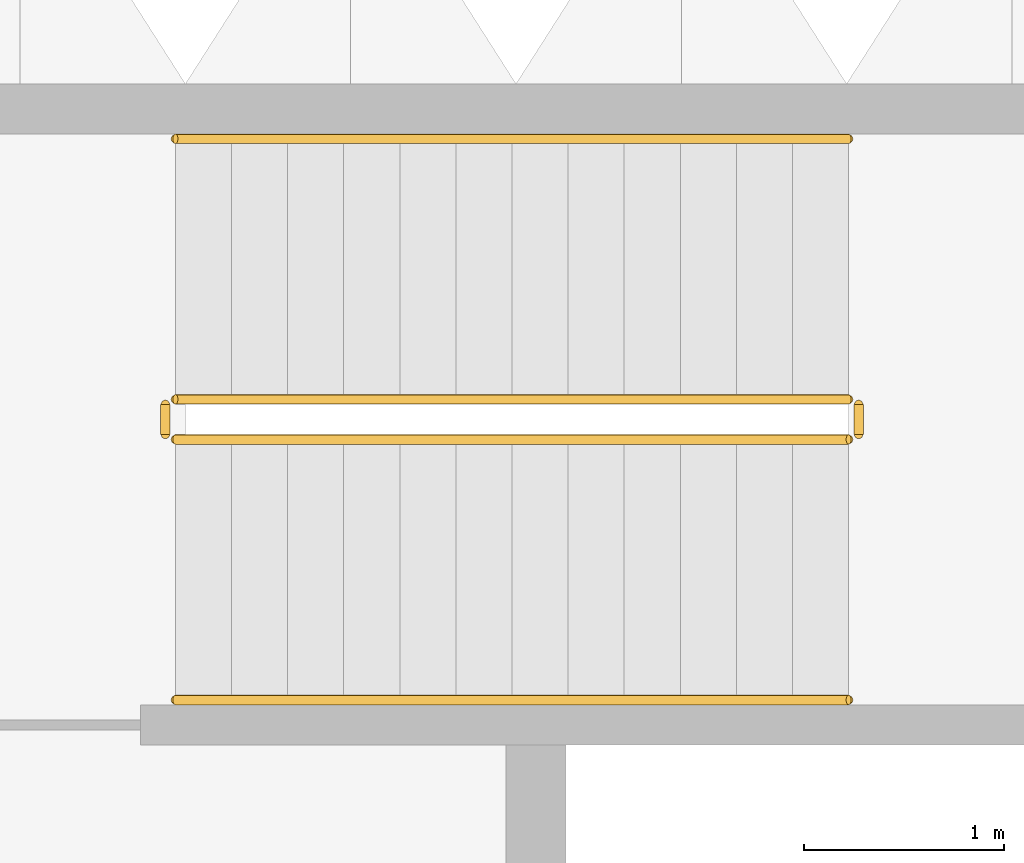
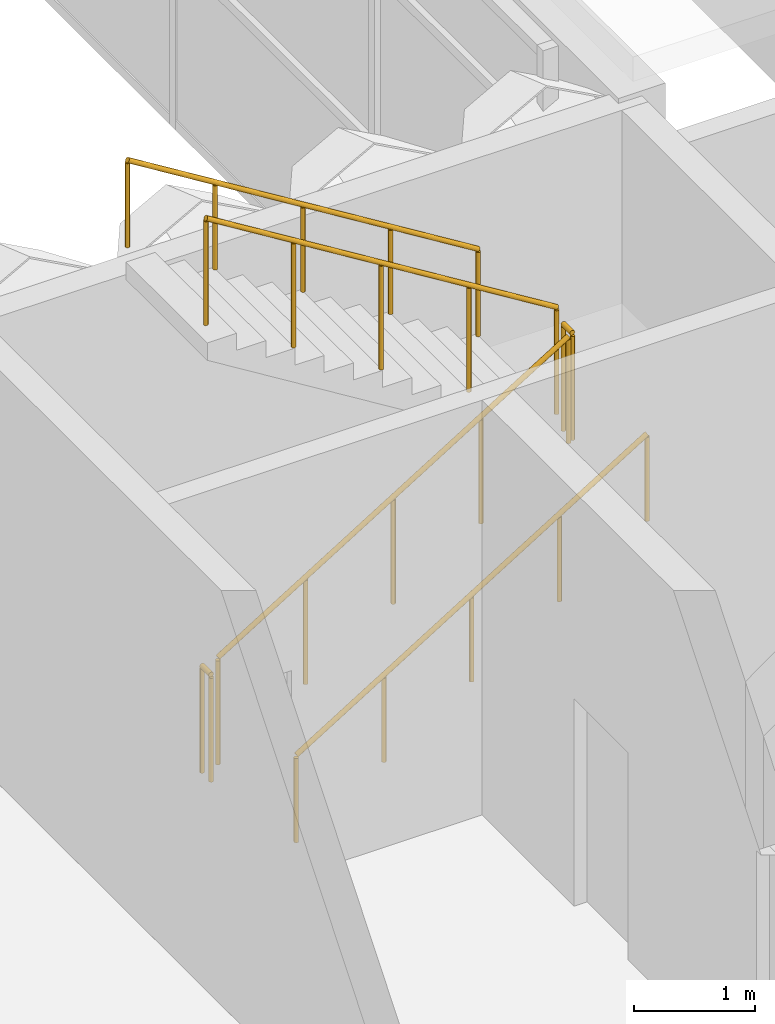
# One storey, part 47 of 87: 6 railings.
"""IFC4 building model written with IfcOpenShell, lengths in metres."""

import ifcopenshell
import ifcopenshell.guid

model = None  # the IFC model being written
_history = None  # IfcOwnerHistory: only IFC2X3 demands one
_inside = {}  # id of a spatial element -> (the spatial element, [elements in it])
_under = {}  # id of a project, library or spatial element -> (it, [spatial elements below it])
_declared = {}  # id of a project -> (the project, [libraries it declares])
_typed = {}  # id of a type object -> (the type object, [elements of that type])
_made_of = {}  # id of a material, layer set ... -> (it, [elements and type objects made of it])


def new_model(schema):
    """Start an empty IFC model of exactly this schema.

    Asked for "IFC4X3", IfcOpenShell would pick the latest addendum, in which some entities
    have other attributes; the version numbers below select the first issue.
    IFC2X3 requires an IfcOwnerHistory on every rooted entity: one is made here for all.
    """
    global model, _history
    if schema == "IFC4X3":
        model = ifcopenshell.file(schema_version=(4, 3, 0, 0))
    else:
        model = ifcopenshell.file(schema=schema)
    _inside.clear()
    _under.clear()
    _declared.clear()
    _typed.clear()
    _made_of.clear()
    _history = None
    if model.schema == "IFC2X3":
        org = make("IfcOrganization", Name="unknown")
        user = make(
            "IfcPersonAndOrganization",
            ThePerson=make("IfcPerson", FamilyName="unknown"),
            TheOrganization=org,
        )
        app = make(
            "IfcApplication",
            ApplicationDeveloper=org,
            Version="unknown",
            ApplicationFullName="unknown",
            ApplicationIdentifier="unknown",
        )
        _history = make(
            "IfcOwnerHistory",
            OwningUser=user,
            OwningApplication=app,
            ChangeAction="ADDED",
            CreationDate=0,
        )
    return model


def make(cls, **values):
    """One entity of the class cls with the attributes given. An attribute that is None is left unset."""
    return model.create_entity(
        cls, **{name: value for name, value in values.items() if value is not None}
    )


def rooted(cls, **values):
    """An entity with a GlobalId (a new one), such as an element, a storey or a relation."""
    return make(cls, GlobalId=ifcopenshell.guid.new(), OwnerHistory=_history, **values)


def si_unit(unit_type, name, prefix=None):
    """IfcSIUnit, for example si_unit("LENGTHUNIT", "METRE", prefix="MILLI")."""
    return make("IfcSIUnit", UnitType=unit_type, Prefix=prefix, Name=name)


def assignment(units):
    """IfcUnitAssignment: the units of a project."""
    return None if units is None else make("IfcUnitAssignment", Units=units)


def point(xyz):
    """IfcCartesianPoint."""
    return None if xyz is None else make("IfcCartesianPoint", Coordinates=xyz)


def direction(xyz):
    """IfcDirection."""
    return None if xyz is None else make("IfcDirection", DirectionRatios=xyz)


def frame(location, z_axis=None, x_axis=None):
    """IfcAxis2Placement3D, a coordinate frame: its origin and axes. An axis left out is left unset."""
    return make(
        "IfcAxis2Placement3D",
        Location=point(location),
        Axis=direction(z_axis),
        RefDirection=direction(x_axis),
    )


def frame_2d(location, x_axis=None):
    """IfcAxis2Placement2D, a coordinate frame in the plane: its origin and x axis."""
    return make(
        "IfcAxis2Placement2D", Location=point(location), RefDirection=direction(x_axis)
    )


def origin():
    """The frame at (0, 0, 0) with its axes left unset."""
    return frame((0.0, 0.0, 0.0))


def origin_2d():
    """The frame at (0, 0) in the plane with its x axis left unset."""
    return frame_2d((0.0, 0.0))


def place(relative_to, where):
    """IfcLocalPlacement: puts the frame where relative to a parent placement (None: the world)."""
    return make(
        "IfcLocalPlacement", PlacementRelTo=relative_to, RelativePlacement=where
    )


def context(
    kind, dimensions, precision=None, world=None, true_north=None, identifier=None
):
    """IfcGeometricRepresentationContext, for example the 3D "Model" context."""
    return make(
        "IfcGeometricRepresentationContext",
        ContextIdentifier=identifier,
        ContextType=kind,
        CoordinateSpaceDimension=dimensions,
        Precision=precision,
        WorldCoordinateSystem=world,
        TrueNorth=true_north,
    )


def subcontext(parent, identifier, kind, view, scale=None):
    """IfcGeometricRepresentationSubContext, for example "Body" below "Model"."""
    return make(
        "IfcGeometricRepresentationSubContext",
        ContextIdentifier=identifier,
        ContextType=kind,
        ParentContext=parent,
        TargetScale=scale,
        TargetView=view,
    )


def project(units=None, contexts=None):
    """IfcProject with its units and contexts."""
    return rooted(
        "IfcProject",
        Name="project",
        RepresentationContexts=contexts,
        UnitsInContext=assignment(units),
    )


def spatial(cls, under=None, at=None, **own):
    """A site, building, storey or space (cls), placed at a placement, below another one or the project."""
    s = rooted(cls, ObjectPlacement=at, **own)
    if under is not None:
        _under.setdefault(under.id(), (under, []))[1].append(s)
    return s


def profile(cls, at=None, kind="AREA", **sizes):
    """A parametric profile (cls). Its sizes go by their IFC names, for example OverallWidth=200.0."""
    return make(cls, ProfileType=kind, Position=at, **sizes)


def circle(**sizes):
    """IfcCircleProfileDef."""
    return profile("IfcCircleProfileDef", **sizes)


def extrude(swept, where, along, depth):
    """IfcExtrudedAreaSolid: the profile swept, set in the frame where, extruded along a direction by depth."""
    return make(
        "IfcExtrudedAreaSolid",
        SweptArea=swept,
        Position=where,
        ExtrudedDirection=direction(along),
        Depth=depth,
    )


def shape(context_of_items, identifier, shape_type, items):
    """IfcShapeRepresentation: the items that make up one representation, for example the "Body"."""
    return make(
        "IfcShapeRepresentation",
        ContextOfItems=context_of_items,
        RepresentationIdentifier=identifier,
        RepresentationType=shape_type,
        Items=items,
    )


def material(Name=None, Category=None):
    """IfcMaterial."""
    return make("IfcMaterial", Name=Name, Category=Category)


def made_of(thing, what):
    """Note that an element or type object is made of a material, layer set ...; save() writes the relation."""
    if what is not None:
        _made_of.setdefault(what.id(), (what, []))[1].append(thing)
    return thing


def type_object(cls, material=None, **own):
    """A type object (cls), such as IfcWallType, which elements share."""
    return made_of(rooted(cls, **own), material)


def element(
    cls,
    number,
    at=None,
    inside=None,
    cuts=None,
    type_object=None,
    material=None,
    context=None,
    identifier="Body",
    shape_type=None,
    held_by="IfcProductDefinitionShape",
    body=None,
    shapes=None,
    **own,
):
    """One element of the class cls, such as IfcWall. Its Tag is "e" and its number.

    at: its placement. inside: the storey or other place that contains it. cuts: it is an
    opening in that element (IfcRelVoidsElement). A single representation is given by context,
    identifier, shape_type and body (its items); several are given by shapes. held_by: the class
    of the entity that holds the representations. save() writes the other relations.
    """
    e = rooted(cls, Tag="e%d" % number, ObjectPlacement=at, **own)
    if body is not None:
        shapes = [shape(context, identifier, shape_type, body)]
    if shapes is not None:
        e.Representation = make(held_by, Representations=shapes)
    if inside is not None:
        _inside.setdefault(inside.id(), (inside, []))[1].append(e)
    if cuts is not None:
        rooted(
            "IfcRelVoidsElement", RelatingBuildingElement=cuts, RelatedOpeningElement=e
        )
    if type_object is not None:
        _typed.setdefault(type_object.id(), (type_object, []))[1].append(e)
    return made_of(e, material)


def aggregate(whole, parts):
    """IfcRelAggregates: a whole, such as a stair, and the parts it consists of."""
    return rooted("IfcRelAggregates", RelatingObject=whole, RelatedObjects=parts)


def save(model, path):
    """Write the relations noted so far, then the file.

    IfcRelAggregates (storeys below a building ...), IfcRelContainedInSpatialStructure (elements
    in a storey), IfcRelDefinesByType, IfcRelAssociatesMaterial and IfcRelDeclares: one each for
    every whole, place, type object, material and project.
    """
    for whole, parts in _under.values():
        aggregate(whole, parts)
    for where, things in _inside.values():
        rooted(
            "IfcRelContainedInSpatialStructure",
            RelatedElements=things,
            RelatingStructure=where,
        )
    for kind, things in _typed.values():
        rooted("IfcRelDefinesByType", RelatedObjects=things, RelatingType=kind)
    for what, things in _made_of.values():
        rooted("IfcRelAssociatesMaterial", RelatedObjects=things, RelatingMaterial=what)
    for by, libraries in _declared.values():
        rooted("IfcRelDeclares", RelatingContext=by, RelatedDefinitions=libraries)
    model.write(path)


model = new_model("IFC4")

# Units and contexts
model_context = context("Model", 3, precision=1e-05, world=origin(), true_north=direction((0.0, 1.0)))
body_context = subcontext(model_context, "Body", "Model", "MODEL_VIEW")
ifc_project = project(units=[si_unit("LENGTHUNIT", "METRE"), si_unit("AREAUNIT", "SQUARE_METRE"), si_unit("VOLUMEUNIT", "CUBIC_METRE"), si_unit("PLANEANGLEUNIT", "RADIAN"), si_unit("MASSUNIT", "GRAM", prefix="KILO")], contexts=[model_context])

# Site, building, storey
site_placement = place(None, origin())
site = spatial("IfcSite", under=ifc_project, at=site_placement, CompositionType="ELEMENT")
building_placement = place(site_placement, origin())
building = spatial("IfcBuilding", under=site, at=building_placement, Name="Lantern Court Research Institute", CompositionType="ELEMENT")
storey_placement = place(building_placement, frame((0.0, 0.0, 5.39990234375)))
storey = spatial("IfcBuildingStorey", under=building, at=storey_placement, Name="L01", CompositionType="ELEMENT", Elevation=5.39990234375)

# Railings
ifc_material_1 = material(Name="Structural steel S355", Category="steel")
railing_type_1 = type_object("IfcRailingType", Name="Stair guard 1100 steel", PredefinedType="GUARDRAIL", material=ifc_material_1)
railing_1_placement = place(storey_placement, frame((34.60009765625, 21.324951171875, 0.173095703125)))
element("IfcRailing", 1, at=railing_1_placement, inside=storey, type_object=railing_type_1, Name="L01 ST-B3 stair guard 1", PredefinedType="GUARDRAIL", context=body_context, shape_type="SweptSolid", body=[
    extrude(circle(Radius=0.02392578125, at=origin_2d()), frame((0.0, 0.0, 1.076171875), z_axis=(0.850606129759, 0.0, 0.525803396734), x_axis=(0.0, 1.0, 0.0)), (0.0, 0.0, 1.0), 3.949951171875),
    extrude(circle(Radius=0.02099609375, at=origin_2d()), origin(), (0.0, 0.0, 1.0), 1.052001953125),
    extrude(circle(Radius=0.02099609375, at=origin_2d()), frame((0.83984375, 0.0, 0.519287109375)), (0.0, 0.0, 1.0), 1.052001953125),
    extrude(circle(Radius=0.02099609375, at=origin_2d()), frame((1.679931640625, 0.0, 1.03857421875)), (0.0, 0.0, 1.0), 1.052001953125),
    extrude(circle(Radius=0.02099609375, at=origin_2d()), frame((2.52001953125, 0.0, 1.5576171875)), (0.0, 0.0, 1.0), 1.052001953125),
    extrude(circle(Radius=0.02099609375, at=origin_2d()), frame((3.35986328125, 0.0, 2.076904296875)), (0.0, 0.0, 1.0), 1.052001953125),
])
railing_2_placement = place(storey_placement, frame((38.010009765625, 21.35009765625, 2.25)))
element("IfcRailing", 2, at=railing_2_placement, inside=storey, type_object=railing_type_1, Name="L01 ST-B3 stair guard 2", PredefinedType="GUARDRAIL", context=body_context, shape_type="SweptSolid", body=[
    extrude(circle(Radius=0.02392578125, at=origin_2d()), frame((0.0, 0.0, 1.076171875), z_axis=(0.0, 1.0, 0.0), x_axis=(-1.0, 0.0, 0.0)), (0.0, 0.0, 1.0), 0.14990234375),
    extrude(circle(Radius=0.02099609375, at=origin_2d()), origin(), (0.0, 0.0, 1.0), 1.052001953125),
    extrude(circle(Radius=0.02099609375, at=origin_2d()), frame((0.0, 0.14990234375, 0.0)), (0.0, 0.0, 1.0), 1.052001953125),
])
railing_3_placement = place(storey_placement, frame((37.9599609375, 21.52490234375, 2.423095703125)))
element("IfcRailing", 3, at=railing_3_placement, inside=storey, type_object=railing_type_1, Name="L01 ST-B3 stair guard 3", PredefinedType="GUARDRAIL", context=body_context, shape_type="SweptSolid", body=[
    extrude(circle(Radius=0.02392578125, at=origin_2d()), frame((0.0, 0.0, 1.076171875), z_axis=(-0.850606129759, 0.0, 0.525803396734), x_axis=(0.0, -1.0, 0.0)), (0.0, 0.0, 1.0), 3.949951171875),
    extrude(circle(Radius=0.02099609375, at=origin_2d()), origin(), (0.0, 0.0, 1.0), 1.052001953125),
    extrude(circle(Radius=0.02099609375, at=origin_2d()), frame((-0.83984375, 0.0, 0.519287109375)), (0.0, 0.0, 1.0), 1.052001953125),
    extrude(circle(Radius=0.02099609375, at=origin_2d()), frame((-1.679931640625, 0.0, 1.03857421875)), (0.0, 0.0, 1.0), 1.052001953125),
    extrude(circle(Radius=0.02099609375, at=origin_2d()), frame((-2.52001953125, 0.0, 1.5576171875)), (0.0, 0.0, 1.0), 1.052001953125),
    extrude(circle(Radius=0.02099609375, at=origin_2d()), frame((-3.35986328125, 0.0, 2.076904296875)), (0.0, 0.0, 1.0), 1.052001953125),
])
railing_4_placement = place(storey_placement, frame((34.550048828125, 21.35009765625, 0.0)))
element("IfcRailing", 4, at=railing_4_placement, inside=storey, type_object=railing_type_1, Name="L01 ST-B3 stair guard 4", PredefinedType="GUARDRAIL", context=body_context, shape_type="SweptSolid", body=[
    extrude(circle(Radius=0.02392578125, at=origin_2d()), frame((0.0, 0.0, 1.076171875), z_axis=(0.0, 1.0, 0.0), x_axis=(-1.0, 0.0, 0.0)), (0.0, 0.0, 1.0), 0.14990234375),
    extrude(circle(Radius=0.02099609375, at=origin_2d()), origin(), (0.0, 0.0, 1.0), 1.052001953125),
    extrude(circle(Radius=0.02099609375, at=origin_2d()), frame((0.0, 0.14990234375, 0.0)), (0.0, 0.0, 1.0), 1.052001953125),
])
ifc_material_2 = material(Name="Stainless steel 316", Category="steel")
railing_type_2 = type_object("IfcRailingType", Name="Stair handrail 900 steel", PredefinedType="HANDRAIL", material=ifc_material_2)
railing_5_placement = place(storey_placement, frame((34.60009765625, 20.02490234375, 0.173095703125)))
element("IfcRailing", 5, at=railing_5_placement, inside=storey, type_object=railing_type_2, Name="L01 ST-B3 stair handrail 1", PredefinedType="HANDRAIL", context=body_context, shape_type="SweptSolid", body=[
    extrude(circle(Radius=0.02392578125, at=origin_2d()), frame((0.0, 0.0, 0.8759765625), z_axis=(0.850606129759, 0.0, 0.525803396734), x_axis=(0.0, 1.0, 0.0)), (0.0, 0.0, 1.0), 3.949951171875),
    extrude(circle(Radius=0.02099609375, at=origin_2d()), origin(), (0.0, 0.0, 1.0), 0.851806640625),
    extrude(circle(Radius=0.02099609375, at=origin_2d()), frame((0.83984375, 0.0, 0.519287109375)), (0.0, 0.0, 1.0), 0.851806640625),
    extrude(circle(Radius=0.02099609375, at=origin_2d()), frame((1.679931640625, 0.0, 1.03857421875)), (0.0, 0.0, 1.0), 0.851806640625),
    extrude(circle(Radius=0.02099609375, at=origin_2d()), frame((2.52001953125, 0.0, 1.5576171875)), (0.0, 0.0, 1.0), 0.851806640625),
    extrude(circle(Radius=0.02099609375, at=origin_2d()), frame((3.35986328125, 0.0, 2.076904296875)), (0.0, 0.0, 1.0), 0.851806640625),
])
railing_6_placement = place(storey_placement, frame((37.9599609375, 22.824951171875, 2.423095703125)))
element("IfcRailing", 6, at=railing_6_placement, inside=storey, type_object=railing_type_2, Name="L01 ST-B3 stair handrail 2", PredefinedType="HANDRAIL", context=body_context, shape_type="SweptSolid", body=[
    extrude(circle(Radius=0.02392578125, at=origin_2d()), frame((0.0, 0.0, 0.8759765625), z_axis=(-0.850606129759, 0.0, 0.525803396734), x_axis=(0.0, -1.0, 0.0)), (0.0, 0.0, 1.0), 3.949951171875),
    extrude(circle(Radius=0.02099609375, at=origin_2d()), origin(), (0.0, 0.0, 1.0), 0.851806640625),
    extrude(circle(Radius=0.02099609375, at=origin_2d()), frame((-0.83984375, 0.0, 0.519287109375)), (0.0, 0.0, 1.0), 0.851806640625),
    extrude(circle(Radius=0.02099609375, at=origin_2d()), frame((-1.679931640625, 0.0, 1.03857421875)), (0.0, 0.0, 1.0), 0.851806640625),
    extrude(circle(Radius=0.02099609375, at=origin_2d()), frame((-2.52001953125, 0.0, 1.5576171875)), (0.0, 0.0, 1.0), 0.851806640625),
    extrude(circle(Radius=0.02099609375, at=origin_2d()), frame((-3.35986328125, 0.0, 2.076904296875)), (0.0, 0.0, 1.0), 0.851806640625),
])

save(model, "model.ifc")
